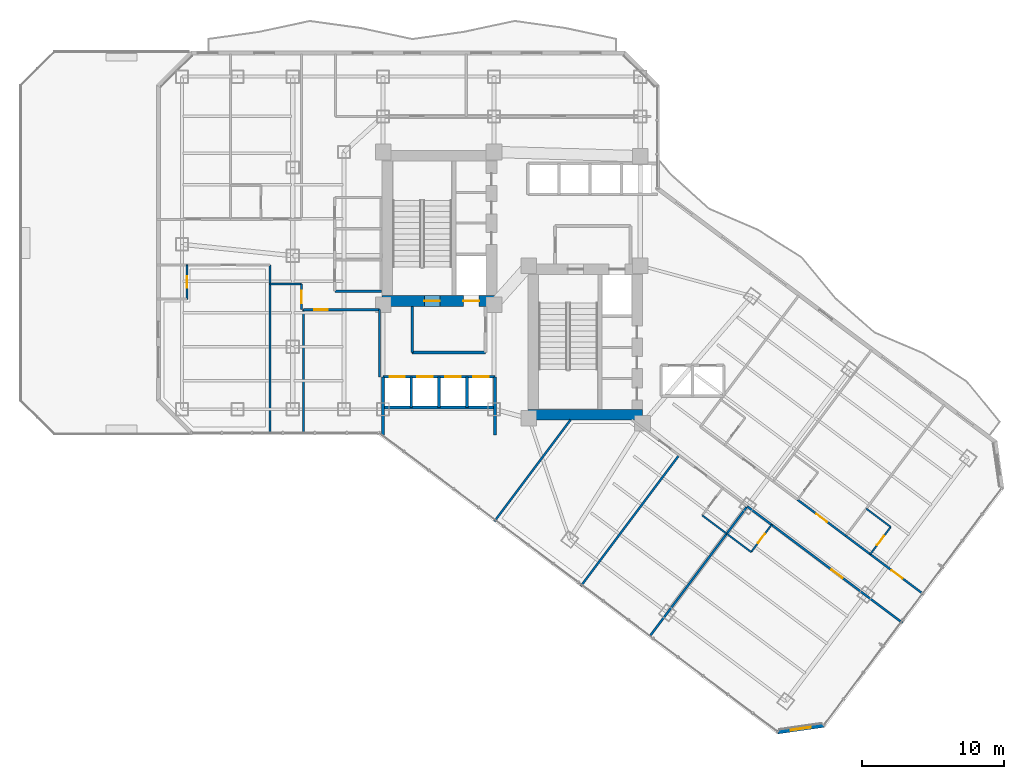
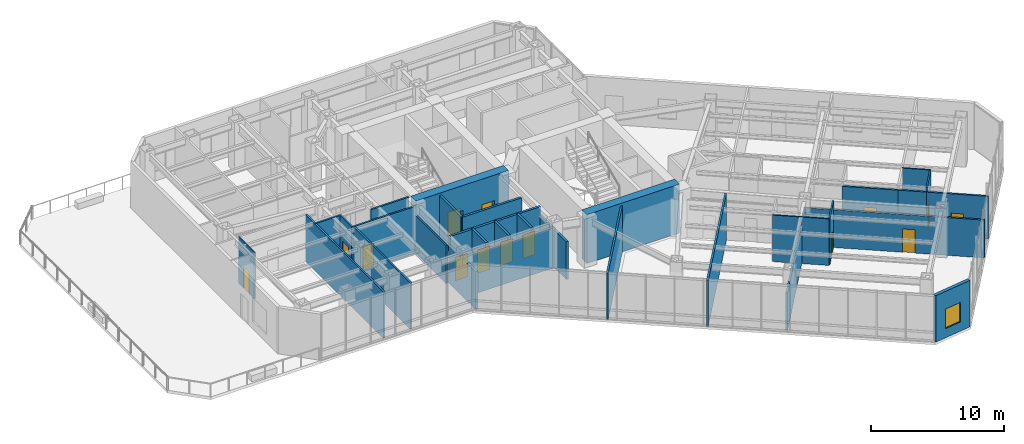
# One storey, part 16 of 27: 33 walls, 14 doors, 1 window, 15 openings.
"""IFC4 building model written with IfcOpenShell, lengths in metres."""

from ifc_helpers import new_model, si_unit, direction, frame, frame_2d, origin, place, context, subcontext, project, spatial, rectangle, extrude, material, layer, layer_set, type_object, element, fill, save


model = new_model("IFC4")

# Units and contexts
model_context = context("Model", 3, precision=1e-05, world=origin(), true_north=direction((0.0, 1.0)))
body_context = subcontext(model_context, "Body", "Model", "MODEL_VIEW")
ifc_project = project(units=[si_unit("LENGTHUNIT", "METRE"), si_unit("AREAUNIT", "SQUARE_METRE"), si_unit("VOLUMEUNIT", "CUBIC_METRE"), si_unit("PLANEANGLEUNIT", "RADIAN"), si_unit("MASSUNIT", "GRAM", prefix="KILO")], contexts=[model_context])

# Site, building, storey
site_placement = place(None, origin())
site = spatial("IfcSite", under=ifc_project, at=site_placement, CompositionType="ELEMENT")
building_placement = place(site_placement, origin())
building = spatial("IfcBuilding", under=site, at=building_placement, Name="Hatsunagi Terrace Concourse", CompositionType="ELEMENT")
storey_placement = place(building_placement, frame((0.0, 0.0, 70.10009765625)))
storey = spatial("IfcBuildingStorey", under=building, at=storey_placement, Name="L18", CompositionType="ELEMENT", Elevation=70.10009765625)

# Wall, openings, doors
ifc_material_1 = material(Name="Concrete Fc60", Category="concrete")
ifc_layer_1 = layer(ifc_material_1, 0.75)
ifc_layer_set_1 = layer_set([ifc_layer_1], Name="CoreShearWall_Fc60_750")
wall_type_1 = type_object("IfcWallType", Name="CoreShearWall_Fc60_750", PredefinedType="SHEAR", material=ifc_layer_set_1)
wall_1_placement = place(storey_placement, frame((25.469970703125, 32.81494140625, 0.0), z_axis=(0.0, 0.0, 1.0), x_axis=(1.0, 0.0, 0.0)))
wall_1 = element("IfcWall", 1, at=wall_1_placement, inside=storey, type_object=wall_type_1, Name="Core A Shear Wall S L18", PredefinedType="SHEAR", context=body_context, shape_type="SweptSolid", body=[
    extrude(rectangle(XDim=8.080078125, YDim=0.75, at=frame_2d((4.0400390625, 0.0))), origin(), (0.0, 0.0, 1.0), 4.5),
])
opening_1_placement = place(wall_1_placement, frame((2.97998046875, 0.0, 0.0)))
opening_1 = element("IfcOpeningElement", 2, at=opening_1_placement, cuts=wall_1, Name="Opening DR-110S", PredefinedType="OPENING", context=body_context, shape_type="SweptSolid", body=[
    extrude(rectangle(XDim=1.10009765625, YDim=2.199951171875, at=frame_2d((0.550048828125, 1.10009765625))), frame((0.0, 0.385009765625, 0.0), z_axis=(0.0, -1.0, 0.0), x_axis=(1.0, 0.0, 0.0)), (0.0, 0.0, 1.0), 0.77001953125),
])
opening_2_placement = place(wall_1_placement, frame((5.72998046875, 0.0, 0.0)))
opening_2 = element("IfcOpeningElement", 3, at=opening_2_placement, cuts=wall_1, Name="Opening LD-01", PredefinedType="OPENING", context=body_context, shape_type="SweptSolid", body=[
    extrude(rectangle(XDim=1.10009765625, YDim=2.14990234375, at=frame_2d((0.550048828125, 1.074951171875))), frame((0.0, 0.385009765625, 0.0), z_axis=(0.0, -1.0, 0.0), x_axis=(1.0, 0.0, 0.0)), (0.0, 0.0, 1.0), 0.77001953125),
])
ifc_material_2 = material(Name="Stainless steel", Category="steel")
door_type_1 = type_object("IfcDoorType", Name="LiftLandingDoor_LD01", OperationType="SLIDING_TO_LEFT", PredefinedType="USERDEFINED", material=ifc_material_2)
door_1_placement = place(opening_2_placement, origin())
door_1 = element("IfcDoor", 4, at=door_1_placement, inside=storey, type_object=door_type_1, Name="Lift landing door FF-01 L18", ObjectType="SLIDING_LANDING_DOOR", OperationType="SLIDING_TO_LEFT", OverallHeight=2.14990234375, OverallWidth=1.10009765625, PredefinedType="USERDEFINED", context=body_context, shape_type="SweptSolid", body=[
    extrude(rectangle(XDim=1.10009765625, YDim=2.14990234375, at=frame_2d((0.550048828125, 1.074951171875))), frame((0.0, 0.02490234375, 0.0), z_axis=(0.0, -1.0, 0.0), x_axis=(1.0, 0.0, 0.0)), (0.0, 0.0, 1.0), 0.050048828125),
])
fill(opening_2, door_1)
ifc_material_3 = material(Name="Painted steel", Category="steel")
door_type_2 = type_object("IfcDoorType", Name="StairFireDoor_EI60_1100", OperationType="NOTDEFINED", PredefinedType="DOOR", material=ifc_material_3)
door_2_placement = place(opening_1_placement, origin())
door_2 = element("IfcDoor", 5, at=door_2_placement, inside=storey, type_object=door_type_2, Name="Stair ST-A Exit Door L18", OperationType="SINGLE_SWING_LEFT", OverallHeight=2.199951171875, OverallWidth=1.10009765625, PredefinedType="DOOR", context=body_context, shape_type="SweptSolid", body=[
    extrude(rectangle(XDim=1.10009765625, YDim=2.199951171875, at=frame_2d((0.550048828125, 1.10009765625))), frame((0.0, 0.02490234375, 0.0), z_axis=(0.0, -1.0, 0.0), x_axis=(1.0, 0.0, 0.0)), (0.0, 0.0, 1.0), 0.050048828125),
])
fill(opening_1, door_2)

# Wall
wall_2_placement = place(storey_placement, frame((35.739990234375, 24.81494140625, 0.0), z_axis=(0.0, 0.0, 1.0), x_axis=(1.0, 0.0, 0.0)))
element("IfcWall", 6, at=wall_2_placement, inside=storey, type_object=wall_type_1, Name="Core B Shear Wall S L18", PredefinedType="SHEAR", context=body_context, shape_type="SweptSolid", body=[
    extrude(rectangle(XDim=8.06005859375, YDim=0.75, at=frame_2d((4.030029296875, 0.0))), origin(), (0.0, 0.0, 1.0), 4.5),
])

# Wall, opening, door
ifc_material_4 = material(Name="Acoustic mineral board", Category="gypsum")
ifc_layer_2 = layer(ifc_material_4, 0.1201171875)
ifc_layer_set_2 = layer_set([ifc_layer_2], Name="PartitionWall_EI30_120")
wall_type_2 = type_object("IfcWallType", Name="PartitionWall_EI30_120", PredefinedType="PARTITIONING", material=ifc_layer_set_2)
wall_3_placement = place(storey_placement, frame((11.75, 32.949951171875, 0.0), z_axis=(0.0, 0.0, 1.0), x_axis=(0.0, 1.0, 0.0)))
wall_3 = element("IfcWall", 7, at=wall_3_placement, inside=storey, type_object=wall_type_2, Name="Interior Partition IW-L18-058", PredefinedType="PARTITIONING", context=body_context, shape_type="SweptSolid", body=[
    extrude(rectangle(XDim=2.400146484375, YDim=0.1201171875, at=frame_2d((1.2001953125, 0.0))), origin(), (0.0, 0.0, 1.0), 4.27978515625),
])
opening_3_placement = place(wall_3_placement, frame((0.800048828125, 0.0, 0.0)))
opening_3 = element("IfcOpeningElement", 8, at=opening_3_placement, cuts=wall_3, Name="Opening DR-080", PredefinedType="OPENING", context=body_context, shape_type="SweptSolid", body=[
    extrude(rectangle(XDim=0.800048828125, YDim=2.06005859375, at=frame_2d((0.39990234375, 1.030029296875))), frame((0.0, 0.070068359375, 0.0), z_axis=(0.0, -1.0, 0.0), x_axis=(1.0, 0.0, 0.0)), (0.0, 0.0, 1.0), 0.14013671875),
])
ifc_material_5 = material(Name="Hardwood timber", Category="wood")
door_type_3 = type_object("IfcDoorType", Name="BathroomDoor_800", OperationType="NOTDEFINED", PredefinedType="DOOR", material=ifc_material_5)
door_3_placement = place(opening_3_placement, origin())
door_3 = element("IfcDoor", 9, at=door_3_placement, inside=storey, type_object=door_type_3, Name="En-Suite Bathroom L18-S1 Door", OperationType="SINGLE_SWING_RIGHT", OverallHeight=2.06005859375, OverallWidth=0.800048828125, PredefinedType="DOOR", context=body_context, shape_type="SweptSolid", body=[
    extrude(rectangle(XDim=0.800048828125, YDim=2.06005859375, at=frame_2d((0.39990234375, 1.030029296875))), frame((0.0, 0.02490234375, 0.0), z_axis=(0.0, -1.0, 0.0), x_axis=(1.0, 0.0, 0.0)), (0.0, 0.0, 1.0), 0.050048828125),
])
fill(opening_3, door_3)

wall_4_placement = place(storey_placement, frame((59.830078125, 14.989990234375, 0.0), z_axis=(0.0, 0.0, 1.0), x_axis=(0.6, 0.8, 0.0)))
wall_4 = element("IfcWall", 10, at=wall_4_placement, inside=storey, type_object=wall_type_2, Name="Interior Partition IW-L18-076", PredefinedType="PARTITIONING", context=body_context, shape_type="SweptSolid", body=[
    extrude(rectangle(XDim=2.39990234375, YDim=0.1201171875, at=frame_2d((1.199951171875, 0.0))), origin(), (0.0, 0.0, 1.0), 4.27978515625),
])
opening_4_placement = place(wall_4_placement, frame((0.800048828125, 0.0, 0.0)))
opening_4 = element("IfcOpeningElement", 11, at=opening_4_placement, cuts=wall_4, Name="Opening DR-080", PredefinedType="OPENING", context=body_context, shape_type="SweptSolid", body=[
    extrude(rectangle(XDim=0.800048828125, YDim=2.06005859375, at=frame_2d((0.39990234375, 1.030029296875))), frame((0.0, 0.070068359375, 0.0), z_axis=(0.0, -1.0, 0.0), x_axis=(1.0, 0.0, 0.0)), (0.0, 0.0, 1.0), 0.14013671875),
])
door_4_placement = place(opening_4_placement, origin())
door_4 = element("IfcDoor", 12, at=door_4_placement, inside=storey, type_object=door_type_3, Name="En-Suite Bathroom L18-SENE3 Door", OperationType="SINGLE_SWING_LEFT", OverallHeight=2.06005859375, OverallWidth=0.800048828125, PredefinedType="DOOR", context=body_context, shape_type="SweptSolid", body=[
    extrude(rectangle(XDim=0.800048828125, YDim=2.06005859375, at=frame_2d((0.39990234375, 1.030029296875))), frame((0.0, 0.02490234375, 0.0), z_axis=(0.0, -1.0, 0.0), x_axis=(1.0, 0.0, 0.0)), (0.0, 0.0, 1.0), 0.050048828125),
])
fill(opening_4, door_4)

# Walls
for number, where, z_axis, x_axis, name in (
    (13, (59.550048828125, 18.199951171875, 0.0), (0.0, 0.0, 1.0), (0.79998637334, -0.60001816845, 0.0), "Interior Partition IW-L18-077"),
    (14, (48.010009765625, 17.72998046875, 0.0), (0.0, 0.0, 1.0), (0.79998637334, -0.60001816845, 0.0), "Interior Partition IW-L18-081"),
):
    element("IfcWall", number, at=place(storey_placement, frame(where, z_axis=z_axis, x_axis=x_axis)), inside=storey, type_object=wall_type_2, Name=name, PredefinedType="PARTITIONING", context=body_context, shape_type="SweptSolid", body=[
        extrude(rectangle(XDim=2.14990234375, YDim=0.1201171875, at=frame_2d((1.074951171875, 0.0))), origin(), (0.0, 0.0, 1.0), 4.27978515625),
    ])

# Wall, opening, door
wall_5_placement = place(storey_placement, frame((51.449951171875, 15.14990234375, 0.0), z_axis=(0.0, 0.0, 1.0), x_axis=(0.599951172744, 0.800036618114, 0.0)))
wall_5 = element("IfcWall", 15, at=wall_5_placement, inside=storey, type_object=wall_type_2, Name="Interior Partition IW-L18-085", PredefinedType="PARTITIONING", context=body_context, shape_type="SweptSolid", body=[
    extrude(rectangle(XDim=2.400146484375, YDim=0.1201171875, at=frame_2d((1.2001953125, 0.0))), origin(), (0.0, 0.0, 1.0), 4.27978515625),
])
opening_5_placement = place(wall_5_placement, frame((0.800048828125, 0.0, 0.0)))
opening_5 = element("IfcOpeningElement", 16, at=opening_5_placement, cuts=wall_5, Name="Opening DR-080", PredefinedType="OPENING", context=body_context, shape_type="SweptSolid", body=[
    extrude(rectangle(XDim=0.800048828125, YDim=2.06005859375, at=frame_2d((0.39990234375, 1.030029296875))), frame((0.0, 0.070068359375, 0.0), z_axis=(0.0, -1.0, 0.0), x_axis=(1.0, 0.0, 0.0)), (0.0, 0.0, 1.0), 0.14013671875),
])
door_5_placement = place(opening_5_placement, origin())
door_5 = element("IfcDoor", 17, at=door_5_placement, inside=storey, type_object=door_type_3, Name="En-Suite Bathroom L18-SESW2 Door", OperationType="SINGLE_SWING_RIGHT", OverallHeight=2.06005859375, OverallWidth=0.800048828125, PredefinedType="DOOR", context=body_context, shape_type="SweptSolid", body=[
    extrude(rectangle(XDim=0.800048828125, YDim=2.06005859375, at=frame_2d((0.39990234375, 1.030029296875))), frame((0.0, 0.02490234375, 0.0), z_axis=(0.0, -1.0, 0.0), x_axis=(1.0, 0.0, 0.0)), (0.0, 0.0, 1.0), 0.050048828125),
])
fill(opening_5, door_5)

# Walls
wall_6_placement = place(storey_placement, frame((49.72998046875, 16.43994140625, 0.0), z_axis=(0.0, 0.0, 1.0), x_axis=(0.79998637334, -0.60001816845, 0.0)))
element("IfcWall", 18, at=wall_6_placement, inside=storey, type_object=wall_type_2, Name="Interior Partition IW-L18-086", PredefinedType="PARTITIONING", context=body_context, shape_type="SweptSolid", body=[
    extrude(rectangle(XDim=2.14990234375, YDim=0.1201171875, at=frame_2d((1.074951171875, 0.0))), origin(), (0.0, 0.0, 1.0), 4.27978515625),
])
ifc_material_6 = material(Name="Acoustic mineral board", Category="gypsum")
ifc_layer_3 = layer(ifc_material_6, 0.14990234375)
ifc_layer_set_3 = layer_set([ifc_layer_3], Name="PartitionWall_EI60_150")
wall_type_3 = type_object("IfcWallType", Name="PartitionWall_EI60_150", PredefinedType="PARTITIONING", material=ifc_layer_set_3)
wall_7_placement = place(storey_placement, frame((22.14990234375, 33.5, 0.0), z_axis=(0.0, 0.0, 1.0), x_axis=(1.0, 0.0, 0.0)))
element("IfcWall", 19, at=wall_7_placement, inside=storey, type_object=wall_type_3, Name="Interior Partition IW-L18-031", PredefinedType="PARTITIONING", context=body_context, shape_type="SweptSolid", body=[
    extrude(rectangle(XDim=3.300048828125, YDim=0.14990234375, at=frame_2d((1.64990234375, 0.0))), origin(), (0.0, 0.0, 1.0), 4.27978515625),
])
wall_8_placement = place(storey_placement, frame((33.384033203125, 17.31201171875, 0.0), z_axis=(0.0, 0.0, 1.0), x_axis=(0.600008743659, 0.799993442181, 0.0)))
element("IfcWall", 20, at=wall_8_placement, inside=storey, type_object=wall_type_3, Name="Interior Partition IW-L18-044", PredefinedType="PARTITIONING", context=body_context, shape_type="SweptSolid", body=[
    extrude(rectangle(XDim=8.93505859375, YDim=0.14990234375, at=frame_2d((4.467529296875, 0.0))), origin(), (0.0, 0.0, 1.0), 4.27978515625),
])
wall_9_placement = place(storey_placement, frame((39.464111328125, 12.751953125, 0.0), z_axis=(0.0, 0.0, 1.0), x_axis=(0.6, 0.8, 0.0)))
element("IfcWall", 21, at=wall_9_placement, inside=storey, type_object=wall_type_3, Name="Interior Partition IW-L18-045", PredefinedType="PARTITIONING", context=body_context, shape_type="SweptSolid", body=[
    extrude(rectangle(XDim=11.510009765625, YDim=0.14990234375, at=frame_2d((5.7548828125, 0.0))), origin(), (0.0, 0.0, 1.0), 4.27978515625),
])

# Wall, opening, door
wall_10_placement = place(storey_placement, frame((19.949951171875, 32.199951171875, 0.0), z_axis=(0.0, 0.0, 1.0), x_axis=(1.0, 0.0, 0.0)))
wall_10 = element("IfcWall", 22, at=wall_10_placement, inside=storey, type_object=wall_type_3, Name="Interior Partition IW-L18-046", PredefinedType="PARTITIONING", context=body_context, shape_type="SweptSolid", body=[
    extrude(rectangle(XDim=5.35009765625, YDim=0.14990234375, at=frame_2d((2.675048828125, 0.0))), origin(), (0.0, 0.0, 1.0), 4.27978515625),
])
opening_6_placement = place(wall_10_placement, frame((0.743896484375, 0.0, 0.0)))
opening_6 = element("IfcOpeningElement", 23, at=opening_6_placement, cuts=wall_10, Name="Opening DR-095", PredefinedType="OPENING", context=body_context, shape_type="SweptSolid", body=[
    extrude(rectangle(XDim=0.949951171875, YDim=2.14990234375, at=frame_2d((0.47509765625, 1.074951171875))), frame((0.0, 0.0849609375, 0.0), z_axis=(0.0, -1.0, 0.0), x_axis=(1.0, 0.0, 0.0)), (0.0, 0.0, 1.0), 0.169921875),
])
ifc_material_7 = material(Name="Hardwood timber", Category="wood")
door_type_4 = type_object("IfcDoorType", Name="InteriorSuiteDoor_EI30_950", OperationType="NOTDEFINED", PredefinedType="DOOR", material=ifc_material_7)
door_6_placement = place(opening_6_placement, origin())
door_6 = element("IfcDoor", 24, at=door_6_placement, inside=storey, type_object=door_type_4, Name="Hotel Wellness Spa L18-HSPA Door", OperationType="SINGLE_SWING_LEFT", OverallHeight=2.14990234375, OverallWidth=0.949951171875, PredefinedType="DOOR", context=body_context, shape_type="SweptSolid", body=[
    extrude(rectangle(XDim=0.949951171875, YDim=2.14990234375, at=frame_2d((0.47509765625, 1.074951171875))), frame((0.0, 0.02490234375, 0.0), z_axis=(0.0, -1.0, 0.0), x_axis=(1.0, 0.0, 0.0)), (0.0, 0.0, 1.0), 0.050048828125),
])
fill(opening_6, door_6)

# Walls
wall_11_placement = place(storey_placement, frame((19.949951171875, 23.60009765625, 0.0), z_axis=(0.0, 0.0, 1.0), x_axis=(0.0, 1.0, 0.0)))
element("IfcWall", 25, at=wall_11_placement, inside=storey, type_object=wall_type_3, Name="Interior Partition IW-L18-047", PredefinedType="PARTITIONING", context=body_context, shape_type="SweptSolid", body=[
    extrude(rectangle(XDim=8.599853515625, YDim=0.14990234375, at=frame_2d((4.2998046875, 0.0))), origin(), (0.0, 0.0, 1.0), 4.27978515625),
])
wall_12_placement = place(storey_placement, frame((25.300048828125, 27.47998046875, 0.0), z_axis=(0.0, 0.0, 1.0), x_axis=(0.0, 1.0, 0.0)))
element("IfcWall", 26, at=wall_12_placement, inside=storey, type_object=wall_type_3, Name="Interior Partition IW-L18-048", PredefinedType="PARTITIONING", context=body_context, shape_type="SweptSolid", body=[
    extrude(rectangle(XDim=4.719970703125, YDim=0.14990234375, at=frame_2d((2.35986328125, 0.0))), origin(), (0.0, 0.0, 1.0), 3.474853515625),
])
wall_13_placement = place(storey_placement, frame((17.60009765625, 23.60009765625, 0.0), z_axis=(0.0, 0.0, 1.0), x_axis=(0.0, 1.0, 0.0)))
element("IfcWall", 27, at=wall_13_placement, inside=storey, type_object=wall_type_3, Name="Interior Partition IW-L18-060", PredefinedType="PARTITIONING", context=body_context, shape_type="SweptSolid", body=[
    extrude(rectangle(XDim=11.75, YDim=0.14990234375, at=frame_2d((5.875, 0.0))), origin(), (0.0, 0.0, 1.0), 4.27978515625),
])
wall_14_placement = place(storey_placement, frame((17.60009765625, 34.0, 0.0), z_axis=(0.0, 0.0, 1.0), x_axis=(1.0, 0.0, 0.0)))
element("IfcWall", 28, at=wall_14_placement, inside=storey, type_object=wall_type_3, Name="Interior Partition IW-L18-061", PredefinedType="PARTITIONING", context=body_context, shape_type="SweptSolid", body=[
    extrude(rectangle(XDim=2.199951171875, YDim=0.14990234375, at=frame_2d((1.10009765625, 0.0))), origin(), (0.0, 0.0, 1.0), 4.27978515625),
])

# Wall, opening, door
wall_15_placement = place(storey_placement, frame((19.800048828125, 32.199951171875, 0.0), z_axis=(0.0, 0.0, 1.0), x_axis=(0.0, 1.0, 0.0)))
wall_15 = element("IfcWall", 29, at=wall_15_placement, inside=storey, type_object=wall_type_3, Name="Interior Partition IW-L18-062", PredefinedType="PARTITIONING", context=body_context, shape_type="SweptSolid", body=[
    extrude(rectangle(XDim=1.800048828125, YDim=0.14990234375, at=frame_2d((0.89990234375, 0.0))), origin(), (0.0, 0.0, 1.0), 4.27978515625),
])
opening_7_placement = place(wall_15_placement, frame((0.449951171875, 0.0, 0.0)))
opening_7 = element("IfcOpeningElement", 30, at=opening_7_placement, cuts=wall_15, Name="Opening DR-090", PredefinedType="OPENING", context=body_context, shape_type="SweptSolid", body=[
    extrude(rectangle(XDim=0.89990234375, YDim=2.14990234375, at=frame_2d((0.449951171875, 1.074951171875))), frame((0.0, 0.0849609375, 0.0), z_axis=(0.0, -1.0, 0.0), x_axis=(1.0, 0.0, 0.0)), (0.0, 0.0, 1.0), 0.169921875),
])
ifc_material_8 = material(Name="Hardwood timber", Category="wood")
door_type_5 = type_object("IfcDoorType", Name="CrownPavilionDoor_EI30_900", OperationType="NOTDEFINED", PredefinedType="DOOR", material=ifc_material_8)
door_7_placement = place(opening_7_placement, origin())
door_7 = element("IfcDoor", 31, at=door_7_placement, inside=storey, type_object=door_type_5, Name="Catering Pantry L18-HPAN Door", OperationType="SINGLE_SWING_RIGHT", OverallHeight=2.14990234375, OverallWidth=0.89990234375, PredefinedType="DOOR", context=body_context, shape_type="SweptSolid", body=[
    extrude(rectangle(XDim=0.89990234375, YDim=2.14990234375, at=frame_2d((0.449951171875, 1.074951171875))), frame((0.0, 0.02490234375, 0.0), z_axis=(0.0, -1.0, 0.0), x_axis=(1.0, 0.0, 0.0)), (0.0, 0.0, 1.0), 0.050048828125),
])
fill(opening_7, door_7)

wall_16_placement = place(storey_placement, frame((54.7099609375, 18.830078125, 0.0), z_axis=(0.0, 0.0, 1.0), x_axis=(0.800006893092, -0.599990809101, 0.0)))
wall_16 = element("IfcWall", 32, at=wall_16_placement, inside=storey, type_object=wall_type_3, Name="Interior Partition IW-L18-070", PredefinedType="PARTITIONING", context=body_context, shape_type="SweptSolid", body=[
    extrude(rectangle(XDim=4.250244140625, YDim=0.14990234375, at=frame_2d((2.125, 0.0))), origin(), (0.0, 0.0, 1.0), 3.9248046875),
])
opening_8_placement = place(wall_16_placement, frame((1.64990234375, 0.0, 0.0)))
opening_8 = element("IfcOpeningElement", 33, at=opening_8_placement, cuts=wall_16, Name="Opening DR-095", PredefinedType="OPENING", context=body_context, shape_type="SweptSolid", body=[
    extrude(rectangle(XDim=0.949951171875, YDim=2.14990234375, at=frame_2d((0.47509765625, 1.074951171875))), frame((0.0, 0.0849609375, 0.0), z_axis=(0.0, -1.0, 0.0), x_axis=(1.0, 0.0, 0.0)), (0.0, 0.0, 1.0), 0.169921875),
])
door_8_placement = place(opening_8_placement, origin())
door_8 = element("IfcDoor", 34, at=door_8_placement, inside=storey, type_object=door_type_4, Name="Hotel Guest Room L18-SENE2 Door", OperationType="SINGLE_SWING_LEFT", OverallHeight=2.14990234375, OverallWidth=0.949951171875, PredefinedType="DOOR", context=body_context, shape_type="SweptSolid", body=[
    extrude(rectangle(XDim=0.949951171875, YDim=2.14990234375, at=frame_2d((0.47509765625, 1.074951171875))), frame((0.0, 0.02490234375, 0.0), z_axis=(0.0, -1.0, 0.0), x_axis=(1.0, 0.0, 0.0)), (0.0, 0.0, 1.0), 0.050048828125),
])
fill(opening_8, door_8)

# Wall
wall_17_placement = place(storey_placement, frame((58.110107421875, 16.280029296875, 0.0), z_axis=(0.0, 0.0, 1.0), x_axis=(0.79998637334, -0.60001816845, 0.0)))
element("IfcWall", 35, at=wall_17_placement, inside=storey, type_object=wall_type_3, Name="Interior Partition IW-L18-074", PredefinedType="PARTITIONING", context=body_context, shape_type="SweptSolid", body=[
    extrude(rectangle(XDim=2.14990234375, YDim=0.14990234375, at=frame_2d((1.074951171875, 0.0))), origin(), (0.0, 0.0, 1.0), 3.9248046875),
])

# Wall, opening, door
wall_18_placement = place(storey_placement, frame((59.830078125, 14.989990234375, 0.0), z_axis=(0.0, 0.0, 1.0), x_axis=(0.799993779569, -0.600008293819, 0.0)))
wall_18 = element("IfcWall", 36, at=wall_18_placement, inside=storey, type_object=wall_type_3, Name="Interior Partition IW-L18-075", PredefinedType="PARTITIONING", context=body_context, shape_type="SweptSolid", body=[
    extrude(rectangle(XDim=4.709716796875, YDim=0.14990234375, at=frame_2d((2.35498046875, 0.0))), origin(), (0.0, 0.0, 1.0), 3.9248046875),
])
opening_9_placement = place(wall_18_placement, frame((1.8798828125, 0.0, 0.0)))
opening_9 = element("IfcOpeningElement", 37, at=opening_9_placement, cuts=wall_18, Name="Opening DR-095", PredefinedType="OPENING", context=body_context, shape_type="SweptSolid", body=[
    extrude(rectangle(XDim=0.949951171875, YDim=2.14990234375, at=frame_2d((0.47509765625, 1.074951171875))), frame((0.0, 0.0849609375, 0.0), z_axis=(0.0, -1.0, 0.0), x_axis=(1.0, 0.0, 0.0)), (0.0, 0.0, 1.0), 0.169921875),
])
door_9_placement = place(opening_9_placement, origin())
door_9 = element("IfcDoor", 38, at=door_9_placement, inside=storey, type_object=door_type_4, Name="Corner Hotel Suite L18-SENE3 Door", OperationType="SINGLE_SWING_LEFT", OverallHeight=2.14990234375, OverallWidth=0.949951171875, PredefinedType="DOOR", context=body_context, shape_type="SweptSolid", body=[
    extrude(rectangle(XDim=0.949951171875, YDim=2.14990234375, at=frame_2d((0.47509765625, 1.074951171875))), frame((0.0, 0.02490234375, 0.0), z_axis=(0.0, -1.0, 0.0), x_axis=(1.0, 0.0, 0.0)), (0.0, 0.0, 1.0), 0.050048828125),
])
fill(opening_9, door_9)

# Walls
wall_19_placement = place(storey_placement, frame((44.360107421875, 9.280029296875, 0.0), z_axis=(0.0, 0.0, 1.0), x_axis=(0.599986233332, 0.800010324816, 0.0)))
element("IfcWall", 39, at=wall_19_placement, inside=storey, type_object=wall_type_3, Name="Interior Partition IW-L18-082", PredefinedType="PARTITIONING", context=body_context, shape_type="SweptSolid", body=[
    extrude(rectangle(XDim=11.349853515625, YDim=0.14990234375, at=frame_2d((5.6748046875, 0.0))), origin(), (0.0, 0.0, 1.0), 3.474853515625),
])
wall_20_placement = place(storey_placement, frame((51.169921875, 18.360107421875, 0.0), z_axis=(0.0, 0.0, 1.0), x_axis=(0.79998637334, -0.60001816845, 0.0)))
element("IfcWall", 40, at=wall_20_placement, inside=storey, type_object=wall_type_3, Name="Interior Partition IW-L18-083", PredefinedType="PARTITIONING", context=body_context, shape_type="SweptSolid", body=[
    extrude(rectangle(XDim=2.14990234375, YDim=0.14990234375, at=frame_2d((1.074951171875, 0.0))), origin(), (0.0, 0.0, 1.0), 3.474853515625),
])

# Wall, opening, door
wall_21_placement = place(storey_placement, frame((52.889892578125, 17.070068359375, 0.0), z_axis=(0.0, 0.0, 1.0), x_axis=(0.8, -0.6, 0.0)))
wall_21 = element("IfcWall", 41, at=wall_21_placement, inside=storey, type_object=wall_type_3, Name="Interior Partition IW-L18-084", PredefinedType="PARTITIONING", context=body_context, shape_type="SweptSolid", body=[
    extrude(rectangle(XDim=11.510009765625, YDim=0.14990234375, at=frame_2d((5.7548828125, 0.0))), origin(), (0.0, 0.0, 1.0), 3.474853515625),
])
opening_10_placement = place(wall_21_placement, frame((5.280029296875, 0.0, 0.0)))
opening_10 = element("IfcOpeningElement", 42, at=opening_10_placement, cuts=wall_21, Name="Opening DR-095", PredefinedType="OPENING", context=body_context, shape_type="SweptSolid", body=[
    extrude(rectangle(XDim=0.949951171875, YDim=2.14990234375, at=frame_2d((0.47509765625, 1.074951171875))), frame((0.0, 0.0849609375, 0.0), z_axis=(0.0, -1.0, 0.0), x_axis=(1.0, 0.0, 0.0)), (0.0, 0.0, 1.0), 0.169921875),
])
door_10_placement = place(opening_10_placement, origin())
door_10 = element("IfcDoor", 43, at=door_10_placement, inside=storey, type_object=door_type_4, Name="Corner Hotel Suite L18-SESW2 Door", OperationType="SINGLE_SWING_RIGHT", OverallHeight=2.14990234375, OverallWidth=0.949951171875, PredefinedType="DOOR", context=body_context, shape_type="SweptSolid", body=[
    extrude(rectangle(XDim=0.949951171875, YDim=2.14990234375, at=frame_2d((0.47509765625, 1.074951171875))), frame((0.0, 0.02490234375, 0.0), z_axis=(0.0, -1.0, 0.0), x_axis=(1.0, 0.0, 0.0)), (0.0, 0.0, 1.0), 0.050048828125),
])
fill(opening_10, door_10)

# Walls
ifc_material_9 = material(Name="Acoustic mineral board", Category="gypsum")
ifc_layer_4 = layer(ifc_material_9, 0.199951171875)
ifc_layer_set_4 = layer_set([ifc_layer_4], Name="ShaftWall_EI120_200")
wall_type_4 = type_object("IfcWallType", Name="ShaftWall_EI120_200", PredefinedType="STANDARD", material=ifc_layer_set_4)
wall_22_placement = place(storey_placement, frame((27.60009765625, 29.199951171875, 0.0), z_axis=(0.0, 0.0, 1.0), x_axis=(1.0, 0.0, 0.0)))
element("IfcWall", 44, at=wall_22_placement, inside=storey, type_object=wall_type_4, Name="Interior Partition IW-L18-007", PredefinedType="STANDARD", context=body_context, shape_type="SweptSolid", body=[
    extrude(rectangle(XDim=5.14990234375, YDim=0.199951171875, at=frame_2d((2.574951171875, 0.0))), origin(), (0.0, 0.0, 1.0), 4.27978515625),
])
wall_23_placement = place(storey_placement, frame((27.60009765625, 29.199951171875, 0.0), z_axis=(0.0, 0.0, 1.0), x_axis=(0.0, 1.0, 0.0)))
element("IfcWall", 45, at=wall_23_placement, inside=storey, type_object=wall_type_4, Name="Interior Partition IW-L18-008", PredefinedType="STANDARD", context=body_context, shape_type="SweptSolid", body=[
    extrude(rectangle(XDim=3.239990234375, YDim=0.199951171875, at=frame_2d((1.6201171875, 0.0))), origin(), (0.0, 0.0, 1.0), 4.27978515625),
])
for number, where, z_axis, x_axis, name in (
    (46, (25.550048828125, 23.39990234375, 0.0), (0.0, 0.0, 1.0), (0.0, 1.0, 0.0), "Interior Partition IW-L18-013"),
    (47, (33.429931640625, 23.39990234375, 0.0), (0.0, 0.0, 1.0), (0.0, 1.0, 0.0), "Interior Partition IW-L18-014"),
):
    element("IfcWall", number, at=place(storey_placement, frame(where, z_axis=z_axis, x_axis=x_axis)), inside=storey, type_object=wall_type_4, Name=name, PredefinedType="STANDARD", context=body_context, shape_type="SweptSolid", body=[
        extrude(rectangle(XDim=4.080078125, YDim=0.199951171875, at=frame_2d((2.0400390625, 0.0))), origin(), (0.0, 0.0, 1.0), 3.474853515625),
    ])
wall_24_placement = place(storey_placement, frame((25.550048828125, 25.320068359375, 0.0), z_axis=(0.0, 0.0, 1.0), x_axis=(1.0, 0.0, 0.0)))
element("IfcWall", 48, at=wall_24_placement, inside=storey, type_object=wall_type_4, Name="Interior Partition IW-L18-015", PredefinedType="STANDARD", context=body_context, shape_type="SweptSolid", body=[
    extrude(rectangle(XDim=7.8798828125, YDim=0.199951171875, at=frame_2d((3.93994140625, 0.0))), origin(), (0.0, 0.0, 1.0), 3.6748046875),
])
for number, where, z_axis, x_axis, name in (
    (49, (27.530029296875, 25.320068359375, 0.0), (0.0, 0.0, 1.0), (0.0, 1.0, 0.0), "Interior Partition IW-L18-016"),
    (50, (29.489990234375, 25.320068359375, 0.0), (0.0, 0.0, 1.0), (0.0, 1.0, 0.0), "Interior Partition IW-L18-017"),
    (51, (31.449951171875, 25.320068359375, 0.0), (0.0, 0.0, 1.0), (0.0, 1.0, 0.0), "Interior Partition IW-L18-018"),
):
    element("IfcWall", number, at=place(storey_placement, frame(where, z_axis=z_axis, x_axis=x_axis)), inside=storey, type_object=wall_type_4, Name=name, PredefinedType="STANDARD", context=body_context, shape_type="SweptSolid", body=[
        extrude(rectangle(XDim=2.159912109375, YDim=0.199951171875, at=frame_2d((1.080078125, 0.0))), origin(), (0.0, 0.0, 1.0), 4.27978515625),
    ])

# Wall, openings, doors
wall_25_placement = place(storey_placement, frame((25.550048828125, 27.47998046875, 0.0), z_axis=(0.0, 0.0, 1.0), x_axis=(1.0, 0.0, 0.0)))
wall_25 = element("IfcWall", 52, at=wall_25_placement, inside=storey, type_object=wall_type_4, Name="Interior Partition IW-L18-019", PredefinedType="STANDARD", context=body_context, shape_type="SweptSolid", body=[
    extrude(rectangle(XDim=7.8798828125, YDim=0.199951171875, at=frame_2d((3.93994140625, 0.0))), origin(), (0.0, 0.0, 1.0), 4.27978515625),
])
opening_11_placement = place(wall_25_placement, frame((0.4599609375, 0.0, 0.0)))
opening_11 = element("IfcOpeningElement", 53, at=opening_11_placement, cuts=wall_25, Name="Opening LD-03", PredefinedType="OPENING", context=body_context, shape_type="SweptSolid", body=[
    extrude(rectangle(XDim=1.080078125, YDim=2.14990234375, at=frame_2d((0.5400390625, 1.074951171875))), frame((0.0, 0.10986328125, 0.0), z_axis=(0.0, -1.0, 0.0), x_axis=(1.0, 0.0, 0.0)), (0.0, 0.0, 1.0), 0.219970703125),
])
opening_12_placement = place(wall_25_placement, frame((2.419921875, 0.0, 0.0)))
opening_12 = element("IfcOpeningElement", 54, at=opening_12_placement, cuts=wall_25, Name="Opening LD-03", PredefinedType="OPENING", context=body_context, shape_type="SweptSolid", body=[
    extrude(rectangle(XDim=1.080078125, YDim=2.14990234375, at=frame_2d((0.5400390625, 1.074951171875))), frame((0.0, 0.10986328125, 0.0), z_axis=(0.0, -1.0, 0.0), x_axis=(1.0, 0.0, 0.0)), (0.0, 0.0, 1.0), 0.219970703125),
])
opening_13_placement = place(wall_25_placement, frame((4.3798828125, 0.0, 0.0)))
opening_13 = element("IfcOpeningElement", 55, at=opening_13_placement, cuts=wall_25, Name="Opening LD-03", PredefinedType="OPENING", context=body_context, shape_type="SweptSolid", body=[
    extrude(rectangle(XDim=1.080078125, YDim=2.14990234375, at=frame_2d((0.5400390625, 1.074951171875))), frame((0.0, 0.10986328125, 0.0), z_axis=(0.0, -1.0, 0.0), x_axis=(1.0, 0.0, 0.0)), (0.0, 0.0, 1.0), 0.219970703125),
])
opening_14_placement = place(wall_25_placement, frame((6.340087890625, 0.0, 0.0)))
opening_14 = element("IfcOpeningElement", 56, at=opening_14_placement, cuts=wall_25, Name="Opening LD-03", PredefinedType="OPENING", context=body_context, shape_type="SweptSolid", body=[
    extrude(rectangle(XDim=1.080078125, YDim=2.14990234375, at=frame_2d((0.5400390625, 1.074951171875))), frame((0.0, 0.10986328125, 0.0), z_axis=(0.0, -1.0, 0.0), x_axis=(1.0, 0.0, 0.0)), (0.0, 0.0, 1.0), 0.219970703125),
])
ifc_material_10 = material(Name="Stainless steel", Category="steel")
door_type_6 = type_object("IfcDoorType", Name="LiftLandingDoor_LD03", OperationType="SLIDING_TO_LEFT", PredefinedType="USERDEFINED", material=ifc_material_10)
door_11_placement = place(opening_11_placement, origin())
door_11 = element("IfcDoor", 57, at=door_11_placement, inside=storey, type_object=door_type_6, Name="Lift landing door PL-01 L18", ObjectType="SLIDING_LANDING_DOOR", OperationType="SLIDING_TO_LEFT", OverallHeight=2.14990234375, OverallWidth=1.080078125, PredefinedType="USERDEFINED", context=body_context, shape_type="SweptSolid", body=[
    extrude(rectangle(XDim=1.080078125, YDim=2.14990234375, at=frame_2d((0.5400390625, 1.074951171875))), frame((0.0, 0.02490234375, 0.0), z_axis=(0.0, -1.0, 0.0), x_axis=(1.0, 0.0, 0.0)), (0.0, 0.0, 1.0), 0.050048828125),
])
fill(opening_11, door_11)
door_12_placement = place(opening_12_placement, origin())
door_12 = element("IfcDoor", 58, at=door_12_placement, inside=storey, type_object=door_type_6, Name="Lift landing door PL-02 L18", ObjectType="SLIDING_LANDING_DOOR", OperationType="SLIDING_TO_LEFT", OverallHeight=2.14990234375, OverallWidth=1.080078125, PredefinedType="USERDEFINED", context=body_context, shape_type="SweptSolid", body=[
    extrude(rectangle(XDim=1.080078125, YDim=2.14990234375, at=frame_2d((0.5400390625, 1.074951171875))), frame((0.0, 0.02490234375, 0.0), z_axis=(0.0, -1.0, 0.0), x_axis=(1.0, 0.0, 0.0)), (0.0, 0.0, 1.0), 0.050048828125),
])
fill(opening_12, door_12)
door_13_placement = place(opening_13_placement, origin())
door_13 = element("IfcDoor", 59, at=door_13_placement, inside=storey, type_object=door_type_6, Name="Lift landing door PL-03 L18", ObjectType="SLIDING_LANDING_DOOR", OperationType="SLIDING_TO_LEFT", OverallHeight=2.14990234375, OverallWidth=1.080078125, PredefinedType="USERDEFINED", context=body_context, shape_type="SweptSolid", body=[
    extrude(rectangle(XDim=1.080078125, YDim=2.14990234375, at=frame_2d((0.5400390625, 1.074951171875))), frame((0.0, 0.02490234375, 0.0), z_axis=(0.0, -1.0, 0.0), x_axis=(1.0, 0.0, 0.0)), (0.0, 0.0, 1.0), 0.050048828125),
])
fill(opening_13, door_13)
door_14_placement = place(opening_14_placement, origin())
door_14 = element("IfcDoor", 60, at=door_14_placement, inside=storey, type_object=door_type_6, Name="Lift landing door PL-04 L18", ObjectType="SLIDING_LANDING_DOOR", OperationType="SLIDING_TO_LEFT", OverallHeight=2.14990234375, OverallWidth=1.080078125, PredefinedType="USERDEFINED", context=body_context, shape_type="SweptSolid", body=[
    extrude(rectangle(XDim=1.080078125, YDim=2.14990234375, at=frame_2d((0.5400390625, 1.074951171875))), frame((0.0, 0.02490234375, 0.0), z_axis=(0.0, -1.0, 0.0), x_axis=(1.0, 0.0, 0.0)), (0.0, 0.0, 1.0), 0.050048828125),
])
fill(opening_14, door_14)

# Wall, opening, window
ifc_material_11 = material(Name="Autoclaved Lightweight Concrete and Terracotta Cladding", Category="masonry")
ifc_layer_5 = layer(ifc_material_11, 0.280029296875)
ifc_layer_set_5 = layer_set([ifc_layer_5], Name="TerracottaSpandrelWall_280")
wall_type_5 = type_object("IfcWallType", Name="TerracottaSpandrelWall_280", PredefinedType="STANDARD", material=ifc_layer_set_5)
wall_26_placement = place(storey_placement, frame((56.56298828125, 2.949951171875, 0.0), z_axis=(0.0, 0.0, 1.0), x_axis=(-0.989977778067, -0.141223223777, 0.0)))
wall_26 = element("IfcWall", 61, at=wall_26_placement, inside=storey, type_object=wall_type_5, Name="Exterior Spandrel Wall EW-L18-04", PredefinedType="STANDARD", context=body_context, shape_type="SweptSolid", body=[
    extrude(rectangle(XDim=3.27783203125, YDim=0.280029296875, at=frame_2d((1.638916015625, 0.0))), origin(), (0.0, 0.0, 1.0), 4.27978515625),
])
opening_15_placement = place(wall_26_placement, frame((0.93896484375, 0.0, 0.85009765625)))
opening_15 = element("IfcOpeningElement", 62, at=opening_15_placement, cuts=wall_26, Name="Opening WIN-02", PredefinedType="OPENING", context=body_context, shape_type="SweptSolid", body=[
    extrude(rectangle(XDim=1.39990234375, YDim=1.800048828125, at=frame_2d((0.699951171875, 0.89990234375))), frame((0.0, 0.14990234375, 0.0), z_axis=(0.0, -1.0, 0.0), x_axis=(1.0, 0.0, 0.0)), (0.0, 0.0, 1.0), 0.300048828125),
])
ifc_material_12 = material(Name="Thermally Broken Aluminium and Low-E Triple Glazing", Category="aluminium")
window_type = type_object("IfcWindowType", Name="HotelOperableVentWindow_1400x1800", PartitioningType="DOUBLE_PANEL_VERTICAL", PredefinedType="WINDOW", material=ifc_material_12)
window_placement = place(opening_15_placement, origin())
window = element("IfcWindow", 63, at=window_placement, inside=storey, type_object=window_type, Name="Hotel Guestroom Window L18-04-1", OverallHeight=1.800048828125, OverallWidth=1.39990234375, PartitioningType="SINGLE_PANEL", PredefinedType="WINDOW", context=body_context, shape_type="SweptSolid", body=[
    extrude(rectangle(XDim=1.39990234375, YDim=1.800048828125, at=frame_2d((0.699951171875, 0.89990234375))), frame((0.0, 0.030029296875, 0.0), z_axis=(0.0, -1.0, 0.0), x_axis=(1.0, 0.0, 0.0)), (0.0, 0.0, 1.0), 0.06005859375),
])
fill(opening_15, window)

save(model, "model.ifc")
